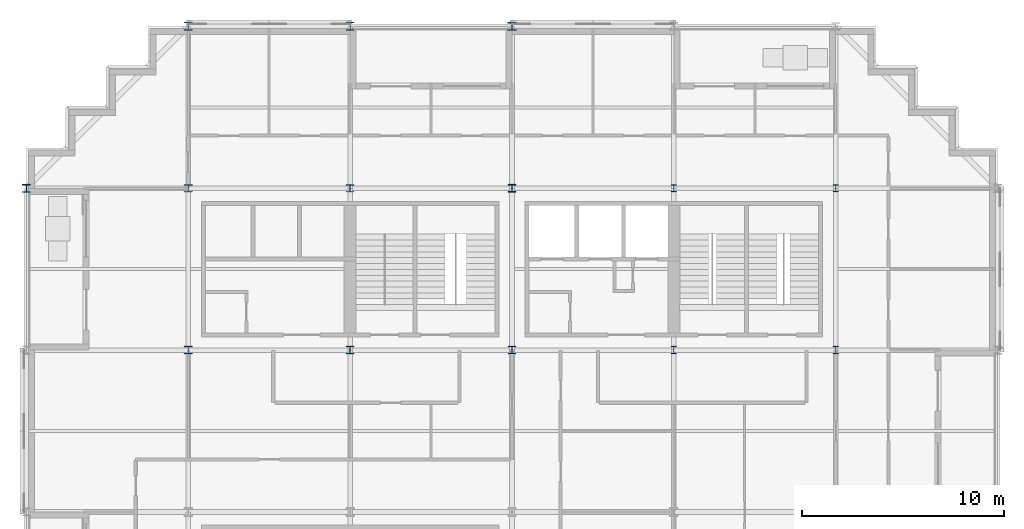
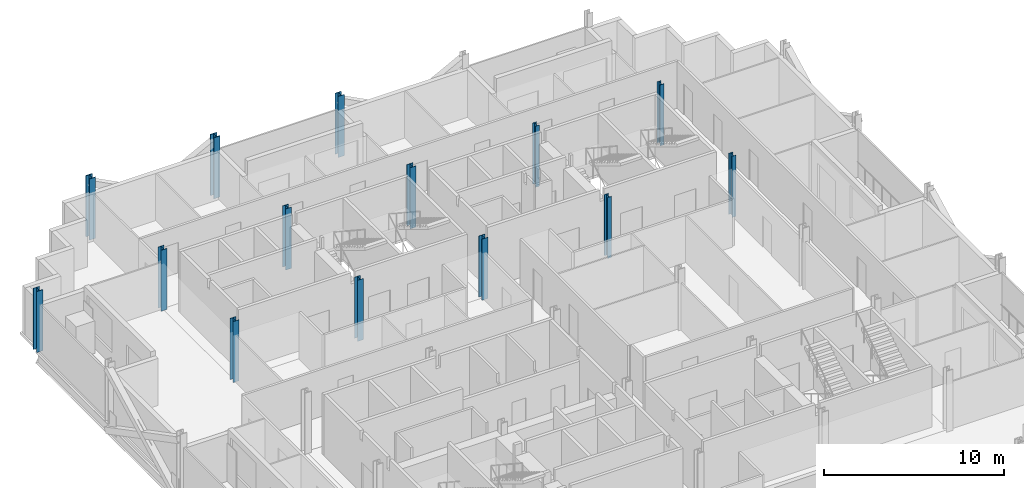
# One storey, part 2 of 15: 14 columns.
"""IFC4 building model written with IfcOpenShell, lengths in metres."""

import ifcopenshell
import ifcopenshell.guid

model = None  # the IFC model being written
_history = None  # IfcOwnerHistory: only IFC2X3 demands one
_inside = {}  # id of a spatial element -> (the spatial element, [elements in it])
_under = {}  # id of a project, library or spatial element -> (it, [spatial elements below it])
_declared = {}  # id of a project -> (the project, [libraries it declares])
_typed = {}  # id of a type object -> (the type object, [elements of that type])
_made_of = {}  # id of a material, layer set ... -> (it, [elements and type objects made of it])


def new_model(schema):
    """Start an empty IFC model of exactly this schema.

    Asked for "IFC4X3", IfcOpenShell would pick the latest addendum, in which some entities
    have other attributes; the version numbers below select the first issue.
    IFC2X3 requires an IfcOwnerHistory on every rooted entity: one is made here for all.
    """
    global model, _history
    if schema == "IFC4X3":
        model = ifcopenshell.file(schema_version=(4, 3, 0, 0))
    else:
        model = ifcopenshell.file(schema=schema)
    _inside.clear()
    _under.clear()
    _declared.clear()
    _typed.clear()
    _made_of.clear()
    _history = None
    if model.schema == "IFC2X3":
        org = make("IfcOrganization", Name="unknown")
        user = make(
            "IfcPersonAndOrganization",
            ThePerson=make("IfcPerson", FamilyName="unknown"),
            TheOrganization=org,
        )
        app = make(
            "IfcApplication",
            ApplicationDeveloper=org,
            Version="unknown",
            ApplicationFullName="unknown",
            ApplicationIdentifier="unknown",
        )
        _history = make(
            "IfcOwnerHistory",
            OwningUser=user,
            OwningApplication=app,
            ChangeAction="ADDED",
            CreationDate=0,
        )
    return model


def make(cls, **values):
    """One entity of the class cls with the attributes given. An attribute that is None is left unset."""
    return model.create_entity(
        cls, **{name: value for name, value in values.items() if value is not None}
    )


def rooted(cls, **values):
    """An entity with a GlobalId (a new one), such as an element, a storey or a relation."""
    return make(cls, GlobalId=ifcopenshell.guid.new(), OwnerHistory=_history, **values)


def si_unit(unit_type, name, prefix=None):
    """IfcSIUnit, for example si_unit("LENGTHUNIT", "METRE", prefix="MILLI")."""
    return make("IfcSIUnit", UnitType=unit_type, Prefix=prefix, Name=name)


def assignment(units):
    """IfcUnitAssignment: the units of a project."""
    return None if units is None else make("IfcUnitAssignment", Units=units)


def point(xyz):
    """IfcCartesianPoint."""
    return None if xyz is None else make("IfcCartesianPoint", Coordinates=xyz)


def direction(xyz):
    """IfcDirection."""
    return None if xyz is None else make("IfcDirection", DirectionRatios=xyz)


def frame(location, z_axis=None, x_axis=None):
    """IfcAxis2Placement3D, a coordinate frame: its origin and axes. An axis left out is left unset."""
    return make(
        "IfcAxis2Placement3D",
        Location=point(location),
        Axis=direction(z_axis),
        RefDirection=direction(x_axis),
    )


def frame_2d(location, x_axis=None):
    """IfcAxis2Placement2D, a coordinate frame in the plane: its origin and x axis."""
    return make(
        "IfcAxis2Placement2D", Location=point(location), RefDirection=direction(x_axis)
    )


def origin():
    """The frame at (0, 0, 0) with its axes left unset."""
    return frame((0.0, 0.0, 0.0))


def origin_2d():
    """The frame at (0, 0) in the plane with its x axis left unset."""
    return frame_2d((0.0, 0.0))


def place(relative_to, where):
    """IfcLocalPlacement: puts the frame where relative to a parent placement (None: the world)."""
    return make(
        "IfcLocalPlacement", PlacementRelTo=relative_to, RelativePlacement=where
    )


def context(
    kind, dimensions, precision=None, world=None, true_north=None, identifier=None
):
    """IfcGeometricRepresentationContext, for example the 3D "Model" context."""
    return make(
        "IfcGeometricRepresentationContext",
        ContextIdentifier=identifier,
        ContextType=kind,
        CoordinateSpaceDimension=dimensions,
        Precision=precision,
        WorldCoordinateSystem=world,
        TrueNorth=true_north,
    )


def subcontext(parent, identifier, kind, view, scale=None):
    """IfcGeometricRepresentationSubContext, for example "Body" below "Model"."""
    return make(
        "IfcGeometricRepresentationSubContext",
        ContextIdentifier=identifier,
        ContextType=kind,
        ParentContext=parent,
        TargetScale=scale,
        TargetView=view,
    )


def project(units=None, contexts=None):
    """IfcProject with its units and contexts."""
    return rooted(
        "IfcProject",
        Name="project",
        RepresentationContexts=contexts,
        UnitsInContext=assignment(units),
    )


def spatial(cls, under=None, at=None, **own):
    """A site, building, storey or space (cls), placed at a placement, below another one or the project."""
    s = rooted(cls, ObjectPlacement=at, **own)
    if under is not None:
        _under.setdefault(under.id(), (under, []))[1].append(s)
    return s


def profile(cls, at=None, kind="AREA", **sizes):
    """A parametric profile (cls). Its sizes go by their IFC names, for example OverallWidth=200.0."""
    return make(cls, ProfileType=kind, Position=at, **sizes)


def i_section(**sizes):
    """IfcIShapeProfileDef."""
    return profile("IfcIShapeProfileDef", **sizes)


def extrude(swept, where, along, depth):
    """IfcExtrudedAreaSolid: the profile swept, set in the frame where, extruded along a direction by depth."""
    return make(
        "IfcExtrudedAreaSolid",
        SweptArea=swept,
        Position=where,
        ExtrudedDirection=direction(along),
        Depth=depth,
    )


def shape(context_of_items, identifier, shape_type, items):
    """IfcShapeRepresentation: the items that make up one representation, for example the "Body"."""
    return make(
        "IfcShapeRepresentation",
        ContextOfItems=context_of_items,
        RepresentationIdentifier=identifier,
        RepresentationType=shape_type,
        Items=items,
    )


def material(Name=None, Category=None):
    """IfcMaterial."""
    return make("IfcMaterial", Name=Name, Category=Category)


def material_profile(
    of_material, cross_section, Name=None, Category=None, Priority=None
):
    """IfcMaterialProfile: a cross section and its material."""
    return make(
        "IfcMaterialProfile",
        Name=Name,
        Material=of_material,
        Profile=cross_section,
        Priority=Priority,
        Category=Category,
    )


def profile_set(profiles, Name=None, composite=None):
    """IfcMaterialProfileSet."""
    return make(
        "IfcMaterialProfileSet",
        Name=Name,
        MaterialProfiles=profiles,
        CompositeProfile=composite,
    )


def made_of(thing, what):
    """Note that an element or type object is made of a material, layer set ...; save() writes the relation."""
    if what is not None:
        _made_of.setdefault(what.id(), (what, []))[1].append(thing)
    return thing


def type_object(cls, material=None, **own):
    """A type object (cls), such as IfcWallType, which elements share."""
    return made_of(rooted(cls, **own), material)


def element(
    cls,
    number,
    at=None,
    inside=None,
    cuts=None,
    type_object=None,
    material=None,
    context=None,
    identifier="Body",
    shape_type=None,
    held_by="IfcProductDefinitionShape",
    body=None,
    shapes=None,
    **own,
):
    """One element of the class cls, such as IfcWall. Its Tag is "e" and its number.

    at: its placement. inside: the storey or other place that contains it. cuts: it is an
    opening in that element (IfcRelVoidsElement). A single representation is given by context,
    identifier, shape_type and body (its items); several are given by shapes. held_by: the class
    of the entity that holds the representations. save() writes the other relations.
    """
    e = rooted(cls, Tag="e%d" % number, ObjectPlacement=at, **own)
    if body is not None:
        shapes = [shape(context, identifier, shape_type, body)]
    if shapes is not None:
        e.Representation = make(held_by, Representations=shapes)
    if inside is not None:
        _inside.setdefault(inside.id(), (inside, []))[1].append(e)
    if cuts is not None:
        rooted(
            "IfcRelVoidsElement", RelatingBuildingElement=cuts, RelatedOpeningElement=e
        )
    if type_object is not None:
        _typed.setdefault(type_object.id(), (type_object, []))[1].append(e)
    return made_of(e, material)


def aggregate(whole, parts):
    """IfcRelAggregates: a whole, such as a stair, and the parts it consists of."""
    return rooted("IfcRelAggregates", RelatingObject=whole, RelatedObjects=parts)


def save(model, path):
    """Write the relations noted so far, then the file.

    IfcRelAggregates (storeys below a building ...), IfcRelContainedInSpatialStructure (elements
    in a storey), IfcRelDefinesByType, IfcRelAssociatesMaterial and IfcRelDeclares: one each for
    every whole, place, type object, material and project.
    """
    for whole, parts in _under.values():
        aggregate(whole, parts)
    for where, things in _inside.values():
        rooted(
            "IfcRelContainedInSpatialStructure",
            RelatedElements=things,
            RelatingStructure=where,
        )
    for kind, things in _typed.values():
        rooted("IfcRelDefinesByType", RelatedObjects=things, RelatingType=kind)
    for what, things in _made_of.values():
        rooted("IfcRelAssociatesMaterial", RelatedObjects=things, RelatingMaterial=what)
    for by, libraries in _declared.values():
        rooted("IfcRelDeclares", RelatingContext=by, RelatedDefinitions=libraries)
    model.write(path)


model = new_model("IFC4")

# Units and contexts
model_context = context("Model", 3, precision=1e-05, world=origin(), true_north=direction((0.0, 1.0)))
body_context = subcontext(model_context, "Body", "Model", "MODEL_VIEW")
ifc_project = project(units=[si_unit("LENGTHUNIT", "METRE"), si_unit("AREAUNIT", "SQUARE_METRE"), si_unit("VOLUMEUNIT", "CUBIC_METRE"), si_unit("PLANEANGLEUNIT", "RADIAN"), si_unit("MASSUNIT", "GRAM", prefix="KILO")], contexts=[model_context])

# Site, building, storey
site_placement = place(None, origin())
site = spatial("IfcSite", under=ifc_project, at=site_placement, CompositionType="ELEMENT")
building_placement = place(site_placement, origin())
building = spatial("IfcBuilding", under=site, at=building_placement, Name="Immortelle Media Tower", CompositionType="ELEMENT")
storey_placement = place(building_placement, frame((0.0, 0.0, 109.60009765625)))
storey = spatial("IfcBuildingStorey", under=building, at=storey_placement, Name="L21", CompositionType="ELEMENT", Elevation=109.60009765625)

# Columns
ifc_material = material(Name="Steel ASTM A992 Gr 50", Category="steel")
ifc_material_profile_1 = material_profile(ifc_material, i_section(OverallWidth=0.373046875, OverallDepth=0.367919921875, WebThickness=0.014892578125, FlangeThickness=0.02392578125, at=origin_2d()), Name="W14x120")
ifc_profile_set_1 = profile_set([ifc_material_profile_1], Name="Steel ASTM A992 Gr 50")
column_type_1 = type_object("IfcColumnType", Name="W14x120 column", PredefinedType="COLUMN", material=ifc_profile_set_1)
for number, where, z_axis, x_axis, name in (
    (1, (8.0, 32.0, 0.0), (0.0, 0.0, 1.0), (1.0, 0.0, 0.0), "Column 2/E"),
    (2, (8.0, 40.0, 0.0), (0.0, 0.0, 1.0), (1.0, 0.0, 0.0), "Column 2/F"),
    (3, (16.0, 32.0, 0.0), (0.0, 0.0, 1.0), (1.0, 0.0, 0.0), "Column 3/E"),
    (4, (16.0, 40.0, 0.0), (0.0, 0.0, 1.0), (1.0, 0.0, 0.0), "Column 3/F"),
):
    element("IfcColumn", number, at=place(storey_placement, frame(where, z_axis=z_axis, x_axis=x_axis)), inside=storey, type_object=column_type_1, Name=name, PredefinedType="COLUMN", context=body_context, shape_type="SweptSolid", body=[
        extrude(i_section(OverallWidth=0.373046875, OverallDepth=0.367919921875, WebThickness=0.014892578125, FlangeThickness=0.02392578125, at=origin_2d()), origin(), (0.0, 0.0, 1.0), 4.14990234375),
    ])
ifc_material_profile_2 = material_profile(ifc_material, i_section(OverallWidth=0.39404296875, OverallDepth=0.3759765625, WebThickness=0.01708984375, FlangeThickness=0.028076171875, at=origin_2d()), Name="W14x145")
ifc_profile_set_2 = profile_set([ifc_material_profile_2], Name="Steel ASTM A992 Gr 50")
column_type_2 = type_object("IfcColumnType", Name="W14x145 column", PredefinedType="COLUMN", material=ifc_profile_set_2)
for number, where, z_axis, x_axis, name in (
    (5, (24.0, 32.0, 0.0), (0.0, 0.0, 1.0), (1.0, 0.0, 0.0), "Column 4/E"),
    (6, (24.0, 40.0, 0.0), (0.0, 0.0, 1.0), (1.0, 0.0, 0.0), "Column 4/F"),
):
    element("IfcColumn", number, at=place(storey_placement, frame(where, z_axis=z_axis, x_axis=x_axis)), inside=storey, type_object=column_type_2, Name=name, PredefinedType="COLUMN", context=body_context, shape_type="SweptSolid", body=[
        extrude(i_section(OverallWidth=0.39404296875, OverallDepth=0.3759765625, WebThickness=0.01708984375, FlangeThickness=0.028076171875, at=origin_2d()), origin(), (0.0, 0.0, 1.0), 4.14990234375),
    ])
ifc_material_profile_3 = material_profile(ifc_material, i_section(OverallWidth=0.39892578125, OverallDepth=0.385986328125, WebThickness=0.02099609375, FlangeThickness=0.032958984375, at=origin_2d()), Name="W14x176")
ifc_profile_set_3 = profile_set([ifc_material_profile_3], Name="Steel ASTM A992 Gr 50")
column_type_3 = type_object("IfcColumnType", Name="W14x176 column", PredefinedType="COLUMN", material=ifc_profile_set_3)
for number, where, z_axis, x_axis, name in (
    (7, (0.0, 40.0, 0.0), (0.0, 0.0, 1.0), (1.0, 0.0, 0.0), "Column 1/F"),
    (8, (24.0, 48.0, 0.0), (0.0, 0.0, 1.0), (1.0, 0.0, 0.0), "Column 4/G"),
):
    element("IfcColumn", number, at=place(storey_placement, frame(where, z_axis=z_axis, x_axis=x_axis)), inside=storey, type_object=column_type_3, Name=name, PredefinedType="COLUMN", context=body_context, shape_type="SweptSolid", body=[
        extrude(i_section(OverallWidth=0.39892578125, OverallDepth=0.385986328125, WebThickness=0.02099609375, FlangeThickness=0.032958984375, at=origin_2d()), origin(), (0.0, 0.0, 1.0), 4.14990234375),
    ])
ifc_material_profile_4 = material_profile(ifc_material, i_section(OverallWidth=0.406005859375, OverallDepth=0.4169921875, WebThickness=0.030029296875, FlangeThickness=0.048095703125, at=origin_2d()), Name="W14x257")
ifc_profile_set_4 = profile_set([ifc_material_profile_4], Name="Steel ASTM A992 Gr 50")
column_type_4 = type_object("IfcColumnType", Name="W14x257 column", PredefinedType="COLUMN", material=ifc_profile_set_4)
for number, where, z_axis, x_axis, name in (
    (9, (8.0, 48.0, 0.0), (0.0, 0.0, 1.0), (1.0, 0.0, 0.0), "Column 2/G"),
    (10, (16.0, 48.0, 0.0), (0.0, 0.0, 1.0), (1.0, 0.0, 0.0), "Column 3/G"),
):
    element("IfcColumn", number, at=place(storey_placement, frame(where, z_axis=z_axis, x_axis=x_axis)), inside=storey, type_object=column_type_4, Name=name, PredefinedType="COLUMN", context=body_context, shape_type="SweptSolid", body=[
        extrude(i_section(OverallWidth=0.406005859375, OverallDepth=0.4169921875, WebThickness=0.030029296875, FlangeThickness=0.048095703125, at=origin_2d()), origin(), (0.0, 0.0, 1.0), 4.14990234375),
    ])
ifc_material_profile_5 = material_profile(ifc_material, i_section(OverallWidth=0.257080078125, OverallDepth=0.363037109375, WebThickness=0.012939453125, FlangeThickness=0.02197265625, at=origin_2d()), Name="W14x82")
ifc_profile_set_5 = profile_set([ifc_material_profile_5], Name="Steel ASTM A992 Gr 50")
column_type_5 = type_object("IfcColumnType", Name="W14x82 column", PredefinedType="COLUMN", material=ifc_profile_set_5)
for number, where, z_axis, x_axis, name in (
    (11, (32.0, 32.0, 0.0), (0.0, 0.0, 1.0), (1.0, 0.0, 0.0), "Column 5/E"),
    (12, (32.0, 40.0, 0.0), (0.0, 0.0, 1.0), (1.0, 0.0, 0.0), "Column 5/F"),
    (13, (40.0, 32.0, 0.0), (0.0, 0.0, 1.0), (1.0, 0.0, 0.0), "Column 6/E"),
    (14, (40.0, 40.0, 0.0), (0.0, 0.0, 1.0), (1.0, 0.0, 0.0), "Column 6/F"),
):
    element("IfcColumn", number, at=place(storey_placement, frame(where, z_axis=z_axis, x_axis=x_axis)), inside=storey, type_object=column_type_5, Name=name, PredefinedType="COLUMN", context=body_context, shape_type="SweptSolid", body=[
        extrude(i_section(OverallWidth=0.257080078125, OverallDepth=0.363037109375, WebThickness=0.012939453125, FlangeThickness=0.02197265625, at=origin_2d()), origin(), (0.0, 0.0, 1.0), 4.14990234375),
    ])

save(model, "model.ifc")
